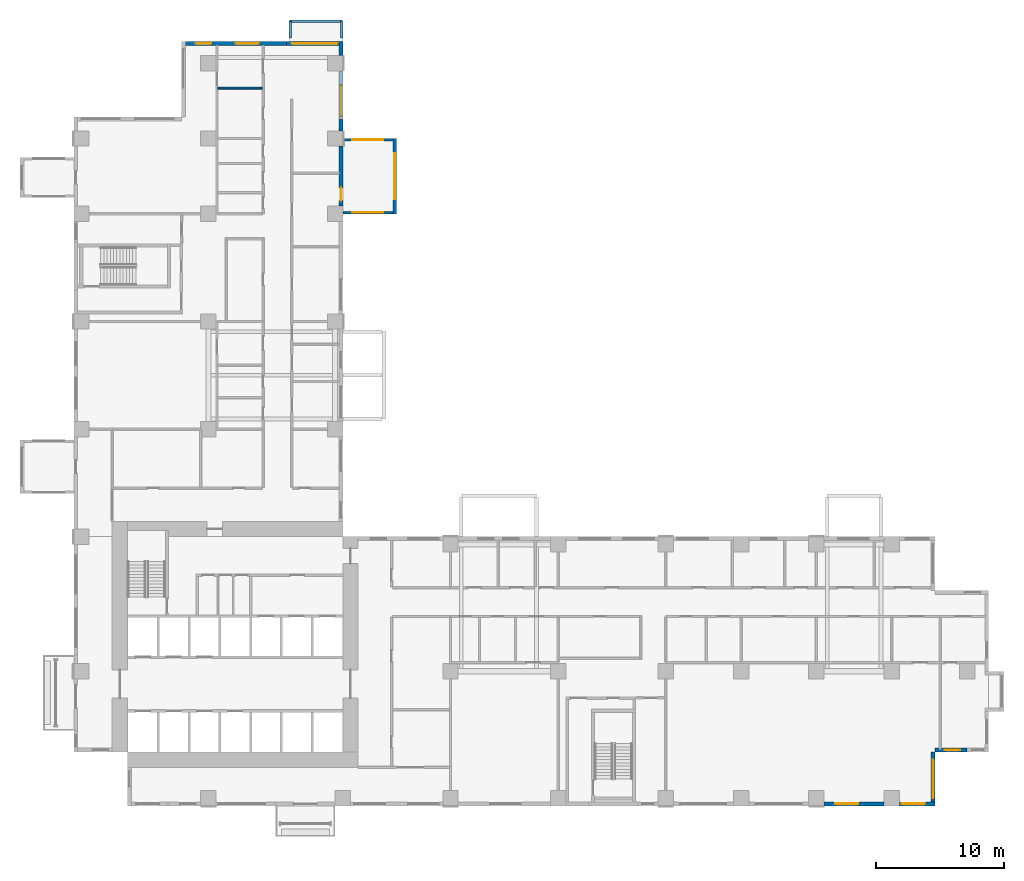
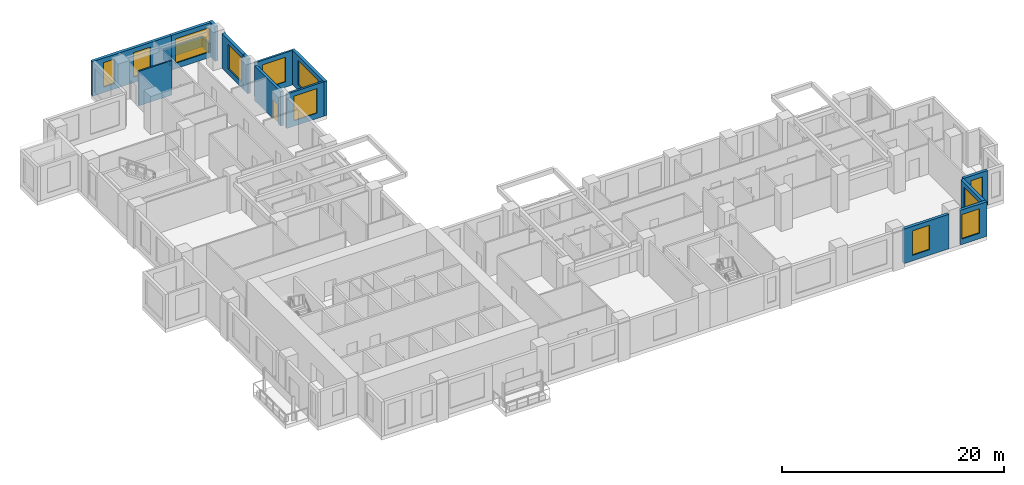
# One storey, part 8 of 14: 17 walls, 11 windows, 1 door, 12 openings.
"""IFC4 building model written with IfcOpenShell, lengths in metres."""

from ifc_helpers import new_model, si_unit, direction, frame, frame_2d, origin, place, context, subcontext, project, spatial, rectangle, extrude, source, transform, mapped, material, layer, layer_set, type_object, element, fill, save


model = new_model("IFC4")

# Units and contexts
model_context = context("Model", 3, precision=1e-05, world=origin(), true_north=direction((0.0, 1.0)))
body_context = subcontext(model_context, "Body", "Model", "MODEL_VIEW")
ifc_project = project(units=[si_unit("LENGTHUNIT", "METRE"), si_unit("AREAUNIT", "SQUARE_METRE"), si_unit("VOLUMEUNIT", "CUBIC_METRE"), si_unit("PLANEANGLEUNIT", "RADIAN"), si_unit("MASSUNIT", "GRAM", prefix="KILO")], contexts=[model_context])

# Site, building, storey
site_placement = place(None, origin())
site = spatial("IfcSite", under=ifc_project, at=site_placement, CompositionType="ELEMENT")
building_placement = place(site_placement, origin())
building = spatial("IfcBuilding", under=site, at=building_placement, Name="Aurelian Terraces", CompositionType="ELEMENT")
storey_placement = place(building_placement, frame((0.0, 0.0, 86.7)))
storey = spatial("IfcBuildingStorey", under=building, at=storey_placement, Name="L18", CompositionType="ELEMENT", Elevation=86.7)

# Wall
ifc_material_1 = material(Name="Terracotta rainscreen cladding", Category="masonry")
ifc_layer_1 = layer(ifc_material_1, 0.2)
ifc_layer_set_1 = layer_set([ifc_layer_1], Name="PARAPET-200")
wall_type_1 = type_object("IfcWallType", Name="PARAPET-200", PredefinedType="PARAPET", material=ifc_layer_set_1)
wall_1_placement = place(storey_placement, frame((16.89, 61.23, 0.0), z_axis=(0.0, 0.0, 1.0), x_axis=(1.0, 0.0, 0.0)))
element("IfcWall", 1, at=wall_1_placement, inside=storey, type_object=wall_type_1, Name="Parapet L18 L18-X1", PredefinedType="PARAPET", context=body_context, shape_type="SweptSolid", body=[
    extrude(rectangle(XDim=4.02, YDim=0.2, at=frame_2d((2.01, 0.0))), origin(), (0.0, 0.0, 1.0), 1.1),
])

# Wall, opening, window
ifc_layer_2 = layer(ifc_material_1, 0.3)
ifc_layer_set_2 = layer_set([ifc_layer_2], Name="EW-300")
wall_type_2 = type_object("IfcWallType", Name="EW-300", PredefinedType="STANDARD", material=ifc_layer_set_2)
shared_shape_1 = source(origin(), body_context, "Body", "SweptSolid", [
    extrude(rectangle(XDim=4.68, YDim=0.3, at=frame_2d((2.34, 0.0))), origin(), (0.0, 0.0, 1.0), 3.8),
])
wall_2_placement = place(storey_placement, frame((58.56, 0.15, 0.0), z_axis=(0.0, 0.0, 1.0), x_axis=(1.0, 0.0, 0.0)))
wall_2 = element("IfcWall", 2, at=wall_2_placement, inside=storey, type_object=wall_type_2, Name="External wall L18 F01.10", PredefinedType="STANDARD", context=body_context, shape_type="MappedRepresentation", body=[
    mapped(shared_shape_1, transform((0.0, 0.0, 0.0), scale=1.0)),
])
shared_shape_2 = source(origin(), body_context, "Body", "SweptSolid", [
    extrude(rectangle(XDim=1.8, YDim=2.7, at=frame_2d((0.9, 1.35))), frame((0.0, 0.16, 0.0), z_axis=(0.0, -1.0, 0.0), x_axis=(1.0, 0.0, 0.0)), (0.0, 0.0, 1.0), 0.32),
])
opening_1_placement = place(wall_2_placement, frame((0.8775, 0.0, 0.6)))
opening_1 = element("IfcOpeningElement", 3, at=opening_1_placement, cuts=wall_2, Name="Opening W1827", PredefinedType="OPENING", context=body_context, shape_type="MappedRepresentation", body=[
    mapped(shared_shape_2, transform((0.0, 0.0, 0.0), scale=1.0)),
])
ifc_material_2 = material(Name="Clear glazing", Category="glass")
window_type_1 = type_object("IfcWindowType", Name="W-1800x2700", PartitioningType="SINGLE_PANEL", PredefinedType="WINDOW", material=ifc_material_2)
shared_shape_3 = source(origin(), body_context, "Body", "SweptSolid", [
    extrude(rectangle(XDim=1.8, YDim=2.7, at=frame_2d((0.9, 1.35))), frame((0.0, 0.03, 0.0), z_axis=(0.0, -1.0, 0.0), x_axis=(1.0, 0.0, 0.0)), (0.0, 0.0, 1.0), 0.06),
])
window_1_placement = place(opening_1_placement, origin())
window_1 = element("IfcWindow", 4, at=window_1_placement, inside=storey, type_object=window_type_1, Name="Window L18 L18-F01-10-0", OverallHeight=2.7, OverallWidth=1.8, PartitioningType="SINGLE_PANEL", PredefinedType="WINDOW", context=body_context, shape_type="MappedRepresentation", body=[
    mapped(shared_shape_3, transform((0.0, 0.0, 0.0), scale=1.0)),
])
fill(opening_1, window_1)

# Wall, opening, door
wall_3_placement = place(storey_placement, frame((20.85, 46.8, 0.0), z_axis=(0.0, 0.0, 1.0), x_axis=(0.0, 1.0, 0.0)))
wall_3 = element("IfcWall", 5, at=wall_3_placement, inside=storey, type_object=wall_type_2, Name="External wall L18 F08.25", PredefinedType="STANDARD", context=body_context, shape_type="MappedRepresentation", body=[
    mapped(shared_shape_1, transform((0.0, 0.0, 0.0), scale=1.0)),
])
shared_shape_4 = source(origin(), body_context, "Body", "SweptSolid", [
    extrude(rectangle(XDim=1.0, YDim=2.1, at=frame_2d((0.5, 1.05))), frame((0.0, 0.16, 0.0), z_axis=(0.0, -1.0, 0.0), x_axis=(1.0, 0.0, 0.0)), (0.0, 0.0, 1.0), 0.32),
])
opening_2_placement = place(wall_3_placement, frame((0.4283, 0.0, 0.0)))
opening_2 = element("IfcOpeningElement", 6, at=opening_2_placement, cuts=wall_3, Name="Opening 818002", PredefinedType="OPENING", context=body_context, shape_type="MappedRepresentation", body=[
    mapped(shared_shape_4, transform((0.0, 0.0, 0.0), scale=1.0)),
])
ifc_material_3 = material(Name="Timber door leaf", Category="wood")
door_type = type_object("IfcDoorType", Name="Room door 1000x2100 left", OperationType="SINGLE_SWING_LEFT", PredefinedType="DOOR", material=ifc_material_3)
shared_shape_5 = source(origin(), body_context, "Body", "SweptSolid", [
    extrude(rectangle(XDim=1.0, YDim=2.1, at=frame_2d((0.5, 1.05))), frame((0.0, 0.025, 0.0), z_axis=(0.0, -1.0, 0.0), x_axis=(1.0, 0.0, 0.0)), (0.0, 0.0, 1.0), 0.05),
])
door_placement = place(opening_2_placement, origin())
door = element("IfcDoor", 7, at=door_placement, inside=storey, type_object=door_type, Name="Door 818002", OperationType="SINGLE_SWING_LEFT", OverallHeight=2.1, OverallWidth=1.0, PredefinedType="DOOR", context=body_context, shape_type="MappedRepresentation", body=[
    mapped(shared_shape_5, transform((0.0, 0.0, 0.0), scale=1.0)),
])
fill(opening_2, door)

# Wall, opening, window
shared_shape_6 = source(origin(), body_context, "Body", "SweptSolid", [
    extrude(rectangle(XDim=4.2, YDim=0.3, at=frame_2d((2.1, 0.0))), origin(), (0.0, 0.0, 1.0), 3.8),
])
wall_4_placement = place(storey_placement, frame((67.05, 0.0, 0.0), z_axis=(0.0, 0.0, 1.0), x_axis=(0.0, 1.0, 0.0)))
wall_4 = element("IfcWall", 8, at=wall_4_placement, inside=storey, type_object=wall_type_2, Name="External wall L18 F02.12", PredefinedType="STANDARD", context=body_context, shape_type="MappedRepresentation", body=[
    mapped(shared_shape_6, transform((0.0, 0.0, 0.0), scale=1.0)),
])
shared_shape_7 = source(origin(), body_context, "Body", "SweptSolid", [
    extrude(rectangle(XDim=3.0, YDim=2.7, at=frame_2d((1.5, 1.35))), frame((0.0, 0.16, 0.0), z_axis=(0.0, -1.0, 0.0), x_axis=(1.0, 0.0, 0.0)), (0.0, 0.0, 1.0), 0.32),
])
opening_3_placement = place(wall_4_placement, frame((0.6, 0.0, 0.6)))
opening_3 = element("IfcOpeningElement", 9, at=opening_3_placement, cuts=wall_4, Name="Opening W3027", PredefinedType="OPENING", context=body_context, shape_type="MappedRepresentation", body=[
    mapped(shared_shape_7, transform((0.0, 0.0, 0.0), scale=1.0)),
])
window_type_2 = type_object("IfcWindowType", Name="W-3000x2700", PartitioningType="SINGLE_PANEL", PredefinedType="WINDOW", material=ifc_material_2)
shared_shape_8 = source(origin(), body_context, "Body", "SweptSolid", [
    extrude(rectangle(XDim=3.0, YDim=2.7, at=frame_2d((1.5, 1.35))), frame((0.0, 0.03, 0.0), z_axis=(0.0, -1.0, 0.0), x_axis=(1.0, 0.0, 0.0)), (0.0, 0.0, 1.0), 0.06),
])
window_2_placement = place(opening_3_placement, origin())
window_2 = element("IfcWindow", 10, at=window_2_placement, inside=storey, type_object=window_type_2, Name="Window L18 L18-F02-12-0", OverallHeight=2.7, OverallWidth=3.0, PartitioningType="SINGLE_PANEL", PredefinedType="WINDOW", context=body_context, shape_type="MappedRepresentation", body=[
    mapped(shared_shape_8, transform((0.0, 0.0, 0.0), scale=1.0)),
])
fill(opening_3, window_2)

shared_shape_9 = source(origin(), body_context, "Body", "SweptSolid", [
    extrude(rectangle(XDim=2.76, YDim=0.3, at=frame_2d((1.38, 0.0))), origin(), (0.0, 0.0, 1.0), 3.8),
])
wall_5_placement = place(storey_placement, frame((64.44, 0.15, 0.0), z_axis=(0.0, 0.0, 1.0), x_axis=(1.0, 0.0, 0.0)))
wall_5 = element("IfcWall", 11, at=wall_5_placement, inside=storey, type_object=wall_type_2, Name="External wall L18 F01.11", PredefinedType="STANDARD", context=body_context, shape_type="MappedRepresentation", body=[
    mapped(shared_shape_9, transform((0.0, 0.0, 0.0), scale=1.0)),
])
opening_4_placement = place(wall_5_placement, frame((0.18, 0.0, 0.6)))
opening_4 = element("IfcOpeningElement", 12, at=opening_4_placement, cuts=wall_5, Name="Opening W1827", PredefinedType="OPENING", context=body_context, shape_type="MappedRepresentation", body=[
    mapped(shared_shape_2, transform((0.0, 0.0, 0.0), scale=1.0)),
])
window_3_placement = place(opening_4_placement, origin())
window_3 = element("IfcWindow", 13, at=window_3_placement, inside=storey, type_object=window_type_1, Name="Window L18 L18-F01-11-0", OverallHeight=2.7, OverallWidth=1.8, PartitioningType="SINGLE_PANEL", PredefinedType="WINDOW", context=body_context, shape_type="MappedRepresentation", body=[
    mapped(shared_shape_3, transform((0.0, 0.0, 0.0), scale=1.0)),
])
fill(opening_4, window_3)

shared_shape_10 = source(origin(), body_context, "Body", "SweptSolid", [
    extrude(rectangle(XDim=2.52, YDim=0.3, at=frame_2d((1.26, 0.0))), origin(), (0.0, 0.0, 1.0), 3.8),
])
wall_6_placement = place(storey_placement, frame((67.2, 4.35, 0.0), z_axis=(0.0, 0.0, 1.0), x_axis=(1.0, 0.0, 0.0)))
wall_6 = element("IfcWall", 14, at=wall_6_placement, inside=storey, type_object=wall_type_2, Name="External wall L18 F03.13", PredefinedType="STANDARD", context=body_context, shape_type="MappedRepresentation", body=[
    mapped(shared_shape_10, transform((0.0, 0.0, 0.0), scale=1.0)),
])
shared_shape_11 = source(origin(), body_context, "Body", "SweptSolid", [
    extrude(rectangle(XDim=1.2, YDim=2.7, at=frame_2d((0.6, 1.35))), frame((0.0, 0.16, 0.0), z_axis=(0.0, -1.0, 0.0), x_axis=(1.0, 0.0, 0.0)), (0.0, 0.0, 1.0), 0.32),
])
opening_5_placement = place(wall_6_placement, frame((0.7775, 0.0, 0.6)))
opening_5 = element("IfcOpeningElement", 15, at=opening_5_placement, cuts=wall_6, Name="Opening W1227", PredefinedType="OPENING", context=body_context, shape_type="MappedRepresentation", body=[
    mapped(shared_shape_11, transform((0.0, 0.0, 0.0), scale=1.0)),
])
window_type_3 = type_object("IfcWindowType", Name="W-1200x2700", PartitioningType="SINGLE_PANEL", PredefinedType="WINDOW", material=ifc_material_2)
shared_shape_12 = source(origin(), body_context, "Body", "SweptSolid", [
    extrude(rectangle(XDim=1.2, YDim=2.7, at=frame_2d((0.6, 1.35))), frame((0.0, 0.03, 0.0), z_axis=(0.0, -1.0, 0.0), x_axis=(1.0, 0.0, 0.0)), (0.0, 0.0, 1.0), 0.06),
])
window_4_placement = place(opening_5_placement, origin())
window_4 = element("IfcWindow", 16, at=window_4_placement, inside=storey, type_object=window_type_3, Name="Window L18 L18-F03-13-P0", OverallHeight=2.7, OverallWidth=1.2, PartitioningType="SINGLE_PANEL", PredefinedType="WINDOW", context=body_context, shape_type="MappedRepresentation", body=[
    mapped(shared_shape_12, transform((0.0, 0.0, 0.0), scale=1.0)),
])
fill(opening_5, window_4)

ifc_material_4 = material(Name="Concrete fc' 40 MPa", Category="concrete")
ifc_layer_3 = layer(ifc_material_4, 0.3)
ifc_layer_set_3 = layer_set([ifc_layer_3], Name="STAIR BAY WALL 300")
wall_type_3 = type_object("IfcWallType", Name="STAIR BAY WALL 300", PredefinedType="SOLIDWALL", material=ifc_layer_set_3)
shared_shape_13 = source(origin(), body_context, "Body", "SweptSolid", [
    extrude(rectangle(XDim=3.8, YDim=0.3, at=frame_2d((1.9, 0.0))), origin(), (0.0, 0.0, 1.0), 3.8),
])
wall_7_placement = place(storey_placement, frame((20.85, 53.56, 0.0), z_axis=(0.0, 0.0, 1.0), x_axis=(0.0, 1.0, 0.0)))
wall_7 = element("IfcWall", 17, at=wall_7_placement, inside=storey, type_object=wall_type_3, Name="Bearing wall L18 F08.26", PredefinedType="SOLIDWALL", context=body_context, shape_type="MappedRepresentation", body=[
    mapped(shared_shape_13, transform((0.0, 0.0, 0.0), scale=1.0)),
])
shared_shape_14 = source(origin(), body_context, "Body", "SweptSolid", [
    extrude(rectangle(XDim=2.4, YDim=2.7, at=frame_2d((1.2, 1.35))), frame((0.0, 0.16, 0.0), z_axis=(0.0, -1.0, 0.0), x_axis=(1.0, 0.0, 0.0)), (0.0, 0.0, 1.0), 0.32),
])
opening_6_placement = place(wall_7_placement, frame((0.26, 0.0, 0.6)))
opening_6 = element("IfcOpeningElement", 18, at=opening_6_placement, cuts=wall_7, Name="Opening W2427", PredefinedType="OPENING", context=body_context, shape_type="MappedRepresentation", body=[
    mapped(shared_shape_14, transform((0.0, 0.0, 0.0), scale=1.0)),
])
window_type_4 = type_object("IfcWindowType", Name="W-2400x2700", PartitioningType="SINGLE_PANEL", PredefinedType="WINDOW", material=ifc_material_2)
shared_shape_15 = source(origin(), body_context, "Body", "SweptSolid", [
    extrude(rectangle(XDim=2.4, YDim=2.7, at=frame_2d((1.2, 1.35))), frame((0.0, 0.03, 0.0), z_axis=(0.0, -1.0, 0.0), x_axis=(1.0, 0.0, 0.0)), (0.0, 0.0, 1.0), 0.06),
])
window_5_placement = place(opening_6_placement, origin())
window_5 = element("IfcWindow", 19, at=window_5_placement, inside=storey, type_object=window_type_4, Name="Window L18 L18-F08-26-0", OverallHeight=2.7, OverallWidth=2.4, PartitioningType="SINGLE_PANEL", PredefinedType="WINDOW", context=body_context, shape_type="MappedRepresentation", body=[
    mapped(shared_shape_15, transform((0.0, 0.0, 0.0), scale=1.0)),
])
fill(opening_6, window_5)

ifc_layer_4 = layer(ifc_material_4, 0.2)
ifc_layer_set_4 = layer_set([ifc_layer_4], Name="BOX BEARING WALL 200")
wall_type_4 = type_object("IfcWallType", Name="BOX BEARING WALL 200", PredefinedType="SOLIDWALL", material=ifc_layer_set_4)
shared_shape_16 = source(origin(), body_context, "Body", "SweptSolid", [
    extrude(rectangle(XDim=3.9, YDim=0.2, at=frame_2d((1.95, 0.0))), origin(), (0.0, 0.0, 1.0), 3.79),
])
wall_8_placement = place(storey_placement, frame((21.0, 46.3, 0.0), z_axis=(0.0, 0.0, 1.0), x_axis=(1.0, 0.0, 0.0)))
wall_8 = element("IfcWall", 20, at=wall_8_placement, inside=storey, type_object=wall_type_4, Name="Box return L18 J23.1", PredefinedType="SOLIDWALL", context=body_context, shape_type="MappedRepresentation", body=[
    mapped(shared_shape_16, transform((0.0, 0.0, 0.0), scale=1.0)),
])
shared_shape_17 = source(origin(), body_context, "Body", "SweptSolid", [
    extrude(rectangle(XDim=2.4, YDim=2.7, at=frame_2d((1.2, 1.35))), frame((0.0, 0.11, 0.0), z_axis=(0.0, -1.0, 0.0), x_axis=(1.0, 0.0, 0.0)), (0.0, 0.0, 1.0), 0.22),
])
opening_7_placement = place(wall_8_placement, frame((0.75, 0.0, 0.6)))
opening_7 = element("IfcOpeningElement", 21, at=opening_7_placement, cuts=wall_8, Name="Opening W2427", PredefinedType="OPENING", context=body_context, shape_type="MappedRepresentation", body=[
    mapped(shared_shape_17, transform((0.0, 0.0, 0.0), scale=1.0)),
])
window_6_placement = place(opening_7_placement, origin())
window_6 = element("IfcWindow", 22, at=window_6_placement, inside=storey, type_object=window_type_4, Name="Window L18 J23-S1", OverallHeight=2.7, OverallWidth=2.4, PartitioningType="SINGLE_PANEL", PredefinedType="WINDOW", context=body_context, shape_type="MappedRepresentation", body=[
    mapped(shared_shape_15, transform((0.0, 0.0, 0.0), scale=1.0)),
])
fill(opening_7, window_6)

wall_9_placement = place(storey_placement, frame((21.0, 51.98, 0.0), z_axis=(0.0, 0.0, 1.0), x_axis=(1.0, 0.0, 0.0)))
wall_9 = element("IfcWall", 23, at=wall_9_placement, inside=storey, type_object=wall_type_4, Name="Box return L18 J23.2", PredefinedType="SOLIDWALL", context=body_context, shape_type="MappedRepresentation", body=[
    mapped(shared_shape_16, transform((0.0, 0.0, 0.0), scale=1.0)),
])
opening_8_placement = place(wall_9_placement, frame((0.75, 0.0, 0.6)))
opening_8 = element("IfcOpeningElement", 24, at=opening_8_placement, cuts=wall_9, Name="Opening W2427", PredefinedType="OPENING", context=body_context, shape_type="MappedRepresentation", body=[
    mapped(shared_shape_17, transform((0.0, 0.0, 0.0), scale=1.0)),
])
window_7_placement = place(opening_8_placement, origin())
window_7 = element("IfcWindow", 25, at=window_7_placement, inside=storey, type_object=window_type_4, Name="Window L18 J23-S2", OverallHeight=2.7, OverallWidth=2.4, PartitioningType="SINGLE_PANEL", PredefinedType="WINDOW", context=body_context, shape_type="MappedRepresentation", body=[
    mapped(shared_shape_15, transform((0.0, 0.0, 0.0), scale=1.0)),
])
fill(opening_8, window_7)

ifc_layer_5 = layer(ifc_material_4, 0.3)
ifc_layer_set_5 = layer_set([ifc_layer_5], Name="BOX BEARING WALL 300")
wall_type_5 = type_object("IfcWallType", Name="BOX BEARING WALL 300", PredefinedType="SOLIDWALL", material=ifc_layer_set_5)
shared_shape_18 = source(origin(), body_context, "Body", "SweptSolid", [
    extrude(rectangle(XDim=5.88, YDim=0.3, at=frame_2d((2.94, 0.0))), origin(), (0.0, 0.0, 1.0), 3.79),
])
wall_10_placement = place(storey_placement, frame((25.05, 46.2, 0.0), z_axis=(0.0, 0.0, 1.0), x_axis=(0.0, 1.0, 0.0)))
wall_10 = element("IfcWall", 26, at=wall_10_placement, inside=storey, type_object=wall_type_5, Name="Box wall L18 J23", PredefinedType="SOLIDWALL", context=body_context, shape_type="MappedRepresentation", body=[
    mapped(shared_shape_18, transform((0.0, 0.0, 0.0), scale=1.0)),
])
shared_shape_19 = source(origin(), body_context, "Body", "SweptSolid", [
    extrude(rectangle(XDim=3.6, YDim=2.7, at=frame_2d((1.8, 1.35))), frame((0.0, 0.16, 0.0), z_axis=(0.0, -1.0, 0.0), x_axis=(1.0, 0.0, 0.0)), (0.0, 0.0, 1.0), 0.32),
])
opening_9_placement = place(wall_10_placement, frame((1.14, 0.0, 0.6)))
opening_9 = element("IfcOpeningElement", 27, at=opening_9_placement, cuts=wall_10, Name="Opening W3627", PredefinedType="OPENING", context=body_context, shape_type="MappedRepresentation", body=[
    mapped(shared_shape_19, transform((0.0, 0.0, 0.0), scale=1.0)),
])
window_type_5 = type_object("IfcWindowType", Name="W-3600x2700", PartitioningType="SINGLE_PANEL", PredefinedType="WINDOW", material=ifc_material_2)
shared_shape_20 = source(origin(), body_context, "Body", "SweptSolid", [
    extrude(rectangle(XDim=3.6, YDim=2.7, at=frame_2d((1.8, 1.35))), frame((0.0, 0.03, 0.0), z_axis=(0.0, -1.0, 0.0), x_axis=(1.0, 0.0, 0.0)), (0.0, 0.0, 1.0), 0.06),
])
window_8_placement = place(opening_9_placement, origin())
window_8 = element("IfcWindow", 28, at=window_8_placement, inside=storey, type_object=window_type_5, Name="Window L18 J23-F1", OverallHeight=2.7, OverallWidth=3.6, PartitioningType="SINGLE_PANEL", PredefinedType="WINDOW", context=body_context, shape_type="MappedRepresentation", body=[
    mapped(shared_shape_20, transform((0.0, 0.0, 0.0), scale=1.0)),
])
fill(opening_9, window_8)

# Walls
shared_shape_21 = source(origin(), body_context, "Body", "SweptSolid", [
    extrude(rectangle(XDim=0.88, YDim=0.3, at=frame_2d((0.44, 0.0))), origin(), (0.0, 0.0, 1.0), 3.8),
])
wall_11_placement = place(storey_placement, frame((20.85, 52.68, 0.0), z_axis=(0.0, 0.0, 1.0), x_axis=(0.0, 1.0, 0.0)))
element("IfcWall", 29, at=wall_11_placement, inside=storey, type_object=wall_type_2, Name="External wall L18 F08.26", PredefinedType="STANDARD", context=body_context, shape_type="MappedRepresentation", body=[
    mapped(shared_shape_21, transform((0.0, 0.0, 0.0), scale=1.0)),
])
shared_shape_22 = source(origin(), body_context, "Body", "SweptSolid", [
    extrude(rectangle(XDim=1.08, YDim=0.3, at=frame_2d((0.54, 0.0))), origin(), (0.0, 0.0, 1.0), 3.8),
])
wall_12_placement = place(storey_placement, frame((20.85, 58.56, 0.0), z_axis=(0.0, 0.0, 1.0), x_axis=(0.0, 1.0, 0.0)))
element("IfcWall", 30, at=wall_12_placement, inside=storey, type_object=wall_type_3, Name="Bearing wall L18 F08.27", PredefinedType="SOLIDWALL", context=body_context, shape_type="MappedRepresentation", body=[
    mapped(shared_shape_22, transform((0.0, 0.0, 0.0), scale=1.0)),
])

# Wall, opening, window
shared_shape_23 = source(origin(), body_context, "Body", "SweptSolid", [
    extrude(rectangle(XDim=4.4, YDim=0.3, at=frame_2d((2.2, 0.0))), origin(), (0.0, 0.0, 1.0), 3.8),
])
wall_13_placement = place(storey_placement, frame((21.0, 59.49, 0.0), z_axis=(0.0, 0.0, 1.0), x_axis=(-1.0, 0.0, 0.0)))
wall_13 = element("IfcWall", 31, at=wall_13_placement, inside=storey, type_object=wall_type_3, Name="Bearing wall L18 F09.28", PredefinedType="SOLIDWALL", context=body_context, shape_type="MappedRepresentation", body=[
    mapped(shared_shape_23, transform((0.0, 0.0, 0.0), scale=1.0)),
])
opening_10_placement = place(wall_13_placement, frame((0.4, 0.0, 0.6)))
opening_10 = element("IfcOpeningElement", 32, at=opening_10_placement, cuts=wall_13, Name="Opening W3627", PredefinedType="OPENING", context=body_context, shape_type="MappedRepresentation", body=[
    mapped(shared_shape_19, transform((0.0, 0.0, 0.0), scale=1.0)),
])
window_9_placement = place(opening_10_placement, origin())
window_9 = element("IfcWindow", 33, at=window_9_placement, inside=storey, type_object=window_type_5, Name="Window L18 L18-F09-28-P0", OverallHeight=2.7, OverallWidth=3.6, PartitioningType="SINGLE_PANEL", PredefinedType="WINDOW", context=body_context, shape_type="MappedRepresentation", body=[
    mapped(shared_shape_20, transform((0.0, 0.0, 0.0), scale=1.0)),
])
fill(opening_10, window_9)

# Wall, openings, windows
shared_shape_24 = source(origin(), body_context, "Body", "SweptSolid", [
    extrude(rectangle(XDim=8.2, YDim=0.3, at=frame_2d((4.1, 0.0))), origin(), (0.0, 0.0, 1.0), 3.8),
])
wall_14_placement = place(storey_placement, frame((16.6, 59.49, 0.0), z_axis=(0.0, 0.0, 1.0), x_axis=(-1.0, 0.0, 0.0)))
wall_14 = element("IfcWall", 34, at=wall_14_placement, inside=storey, type_object=wall_type_2, Name="External wall L18 F09.28", PredefinedType="STANDARD", context=body_context, shape_type="MappedRepresentation", body=[
    mapped(shared_shape_24, transform((0.0, 0.0, 0.0), scale=1.0)),
])
opening_11_placement = place(wall_14_placement, frame((5.8875, 0.0, 0.6)))
opening_11 = element("IfcOpeningElement", 35, at=opening_11_placement, cuts=wall_14, Name="Opening W1227", PredefinedType="OPENING", context=body_context, shape_type="MappedRepresentation", body=[
    mapped(shared_shape_11, transform((0.0, 0.0, 0.0), scale=1.0)),
])
opening_12_placement = place(wall_14_placement, frame((2.1719, 0.0, 0.6)))
opening_12 = element("IfcOpeningElement", 36, at=opening_12_placement, cuts=wall_14, Name="Opening W1827", PredefinedType="OPENING", context=body_context, shape_type="MappedRepresentation", body=[
    mapped(shared_shape_2, transform((0.0, 0.0, 0.0), scale=1.0)),
])
window_10_placement = place(opening_12_placement, origin())
window_10 = element("IfcWindow", 37, at=window_10_placement, inside=storey, type_object=window_type_1, Name="Window L18 L18-F09-28-G1-44", OverallHeight=2.7, OverallWidth=1.8, PartitioningType="SINGLE_PANEL", PredefinedType="WINDOW", context=body_context, shape_type="MappedRepresentation", body=[
    mapped(shared_shape_3, transform((0.0, 0.0, 0.0), scale=1.0)),
])
fill(opening_12, window_10)
window_11_placement = place(opening_11_placement, origin())
window_11 = element("IfcWindow", 38, at=window_11_placement, inside=storey, type_object=window_type_3, Name="Window L18 L18-F09-28-2", OverallHeight=2.7, OverallWidth=1.2, PartitioningType="SINGLE_PANEL", PredefinedType="WINDOW", context=body_context, shape_type="MappedRepresentation", body=[
    mapped(shared_shape_12, transform((0.0, 0.0, 0.0), scale=1.0)),
])
fill(opening_11, window_11)

# Walls
shared_shape_25 = source(origin(), body_context, "Body", "SweptSolid", [
    extrude(rectangle(XDim=1.29, YDim=0.2, at=frame_2d((0.645, 0.0))), origin(), (0.0, 0.0, 1.0), 1.1),
])
for number, where, z_axis, x_axis, name in (
    (39, (16.89, 59.94, 0.0), (0.0, 0.0, 1.0), (0.0, 1.0, 0.0), "Parapet L18 L18-X1"),
    (40, (20.91, 61.23, 0.0), (0.0, 0.0, 1.0), (0.0, -1.0, 0.0), "Parapet L18 L18-X1"),
):
    element("IfcWall", number, at=place(storey_placement, frame(where, z_axis=z_axis, x_axis=x_axis)), inside=storey, type_object=wall_type_1, Name=name, PredefinedType="PARAPET", context=body_context, shape_type="MappedRepresentation", body=[
        mapped(shared_shape_25, transform((0.0, 0.0, 0.0), scale=1.0)),
    ])
ifc_material_5 = material(Name="Gypsum board on steel studs", Category="steel")
ifc_layer_6 = layer(ifc_material_5, 0.15)
ifc_layer_set_6 = layer_set([ifc_layer_6], Name="Partition 150")
wall_type_6 = type_object("IfcWallType", Name="Partition 150", PredefinedType="PARTITIONING", material=ifc_layer_set_6)
shared_shape_26 = source(origin(), body_context, "Body", "SweptSolid", [
    extrude(rectangle(XDim=3.45, YDim=0.15, at=frame_2d((1.725, 0.0))), origin(), (0.0, 0.0, 1.0), 3.8),
])
wall_15_placement = place(storey_placement, frame((14.7, 56.0141, 0.0), z_axis=(0.0, 0.0, 1.0), x_axis=(-1.0, 0.0, 0.0)))
element("IfcWall", 41, at=wall_15_placement, inside=storey, type_object=wall_type_6, Name="Partition", PredefinedType="PARTITIONING", context=body_context, shape_type="MappedRepresentation", body=[
    mapped(shared_shape_26, transform((0.0, 0.0, 0.0), scale=1.0)),
])

save(model, "model.ifc")
